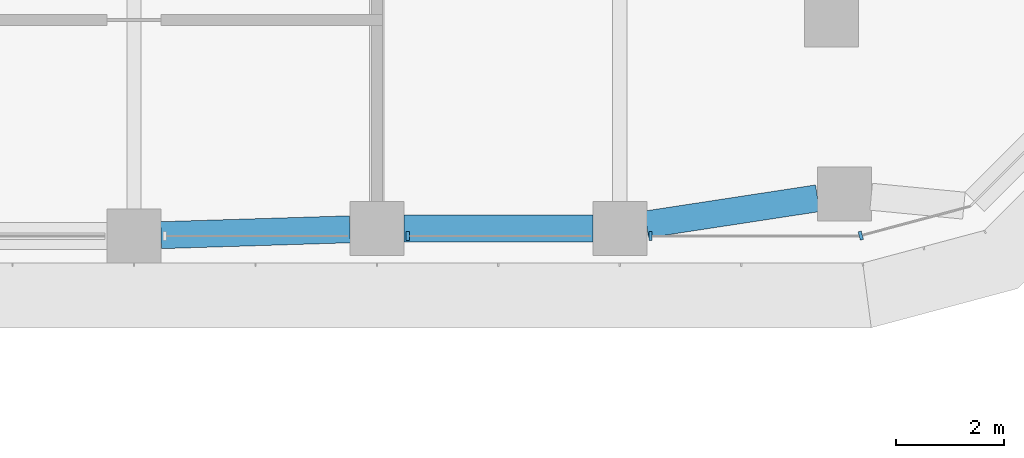
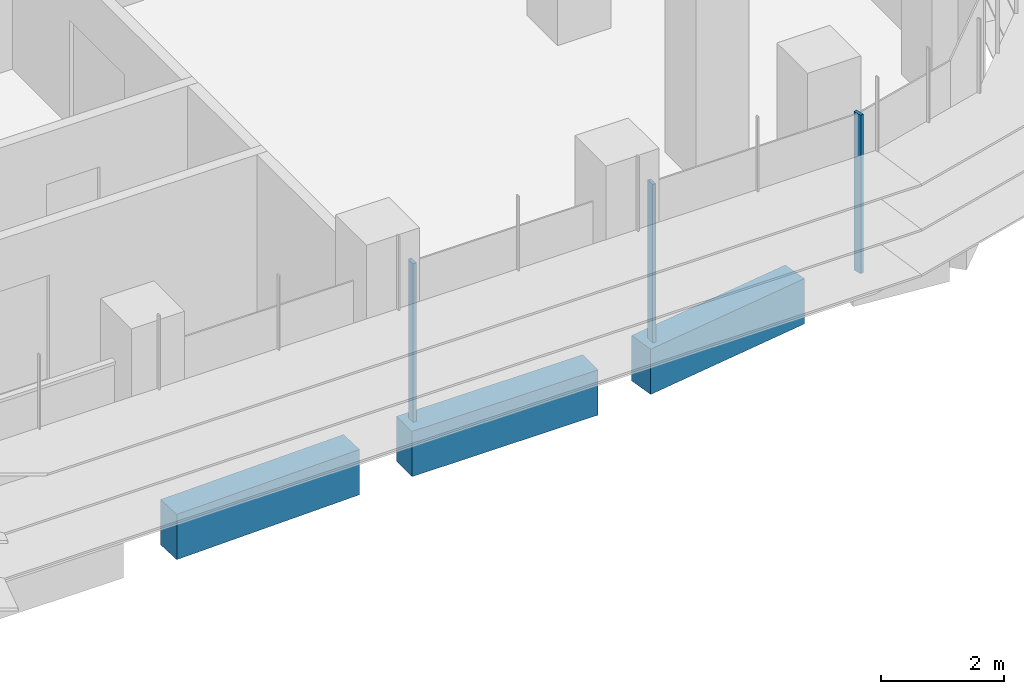
# One storey, part 5 of 23: 3 beams, 3 members, 2 elements without a shape of their own.
"""IFC4 building model written with IfcOpenShell, lengths in metres."""

from ifc_helpers import new_model, si_unit, direction, frame, origin, origin_2d, place, context, subcontext, project, spatial, polyline, rectangle, outline, extrude, source, transform, mapped, material, material_profile, profile_set, type_object, element, aggregate, save


model = new_model("IFC4")

# Units and contexts
model_context = context("Model", 3, precision=1e-05, world=origin(), true_north=direction((0.0, 1.0)))
body_context = subcontext(model_context, "Body", "Model", "MODEL_VIEW")
ifc_project = project(units=[si_unit("LENGTHUNIT", "METRE"), si_unit("AREAUNIT", "SQUARE_METRE"), si_unit("VOLUMEUNIT", "CUBIC_METRE"), si_unit("PLANEANGLEUNIT", "RADIAN"), si_unit("MASSUNIT", "GRAM", prefix="KILO")], contexts=[model_context])

# Site, building, storey
site_placement = place(None, origin())
site = spatial("IfcSite", under=ifc_project, at=site_placement, CompositionType="ELEMENT")
building_placement = place(site_placement, origin())
building = spatial("IfcBuilding", under=site, at=building_placement, Name="Zarbagh Exchange Tower", CompositionType="ELEMENT")
storey_placement = place(building_placement, frame((0.0, 0.0, 73.199951171875)))
storey = spatial("IfcBuildingStorey", under=building, at=storey_placement, Name="L16", CompositionType="ELEMENT", Elevation=73.199951171875)

# Beams
ifc_material_1 = material(Name="Concrete C60/75", Category="concrete")
ifc_material_profile = material_profile(ifc_material_1, rectangle(XDim=0.5, YDim=0.89990234375, at=origin_2d()), Name="RC spandrel beam 500 x 900 C60/75")
ifc_profile_set = profile_set([ifc_material_profile], Name="Concrete C60/75")
beam_type = type_object("IfcBeamType", Name="RC spandrel beam 500 x 900 C60/75", PredefinedType="SPANDREL", material=ifc_profile_set)
beam_1_placement = place(storey_placement, frame((28.413818359375, -5.550537109375, -0.599853515625), z_axis=(-0.988545350976, -0.150924116903, 0.0), x_axis=(0.150924116903, -0.988545350976, 0.0)))
element("IfcBeam", 1, at=beam_1_placement, inside=storey, type_object=beam_type, Name="RC spandrel beam", PredefinedType="SPANDREL", context=body_context, shape_type="SweptSolid", body=[
    extrude(rectangle(XDim=0.5, YDim=0.89990234375, at=origin_2d()), origin(), (0.0, 0.0, 1.0), 3.2060546875),
])
beam_2_placement = place(storey_placement, frame((24.25, -6.110107421875, -0.599853515625), z_axis=(-1.0, 0.0, 0.0), x_axis=(0.0, -1.0, 0.0)))
element("IfcBeam", 2, at=beam_2_placement, inside=storey, type_object=beam_type, Name="RC spandrel beam", PredefinedType="SPANDREL", context=body_context, shape_type="SweptSolid", body=[
    extrude(rectangle(XDim=0.5, YDim=0.89990234375, at=origin_2d()), origin(), (0.0, 0.0, 1.0), 3.5),
])
beam_3_placement = place(storey_placement, frame((19.750244140625, -6.12548828125, -0.599853515625), z_axis=(-0.999514385708, -0.031160756759, 0.0), x_axis=(0.031160756759, -0.999514385708, 0.0)))
element("IfcBeam", 3, at=beam_3_placement, inside=storey, type_object=beam_type, Name="RC spandrel beam", PredefinedType="SPANDREL", context=body_context, shape_type="SweptSolid", body=[
    extrude(rectangle(XDim=0.5, YDim=0.89990234375, at=origin_2d()), origin(), (0.0, 0.0, 1.0), 3.502197265625),
])

# Curtain wall, members
ifc_material_2 = material(Name="Anodised aluminium frame and glazing", Category="aluminium")
curtain_wall_type = type_object("IfcCurtainWallType", Name="CWA Ribbon glazing, lower zones", PredefinedType="NOTDEFINED", material=ifc_material_2)
curtain_wall_1_placement = place(storey_placement, origin())
curtain_wall_1 = element("IfcCurtainWall", 4, at=curtain_wall_1_placement, inside=storey, type_object=curtain_wall_type, Name="CWA08 curtain wall", PredefinedType="NOTDEFINED")
ifc_material_3 = material(Name="Anodised aluminium frame", Category="aluminium")
member_type = type_object("IfcMemberType", Name="MUA Mullion, anodised aluminium frame", PredefinedType="MULLION", material=ifc_material_3)
shared_shape = source(origin(), body_context, "Body", "SweptSolid", [
    extrude(outline(polyline([(0.0, -0.080078125), (0.06005859375, -0.080078125), (0.06005859375, 0.080078125), (0.0, 0.080078125), (0.0, -0.080078125)])), origin(), (0.0, 0.0, 1.0), 3.14990234375),
])
placement = place(storey_placement, origin())
member_1 = element("IfcMember", 5, at=placement, type_object=member_type, Name="CWA08 mullion 3.1", PredefinedType="MULLION", context=body_context, shape_type="MappedRepresentation", body=[
    mapped(shared_shape, transform((20.7900390625, -6.25, 0.0), x_axis=(1.0, 0.0, 0.0), y_axis=(0.0, 1.0, 0.0), z_axis=(0.0, 0.0, 1.0))),
])
member_2 = element("IfcMember", 6, at=placement, type_object=member_type, Name="CWA08 mullion 4.1", PredefinedType="MULLION", context=body_context, shape_type="MappedRepresentation", body=[
    mapped(shared_shape, transform((25.2900390625, -6.25, 0.0), x_axis=(1.0, 0.0, 0.0), y_axis=(0.0, 1.0, 0.0), z_axis=(0.0, 0.0, 1.0))),
])
aggregate(curtain_wall_1, [member_1, member_2])

# Curtain wall, member
curtain_wall_2_placement = place(storey_placement, origin())
curtain_wall_2 = element("IfcCurtainWall", 7, at=curtain_wall_2_placement, inside=storey, type_object=curtain_wall_type, Name="CWA09 curtain wall", PredefinedType="NOTDEFINED")
member_3 = element("IfcMember", 8, at=placement, type_object=member_type, Name="CWA09 mullion 1.1", PredefinedType="MULLION", context=body_context, shape_type="MappedRepresentation", body=[
    mapped(shared_shape, transform((29.18408203125, -6.25, 0.0), x_axis=(0.965924289636, 0.258824779902, 0.0), y_axis=(-0.258824779902, 0.965924289636, 0.0), z_axis=(0.0, 0.0, 1.0))),
])
aggregate(curtain_wall_2, [member_3])

save(model, "model.ifc")
